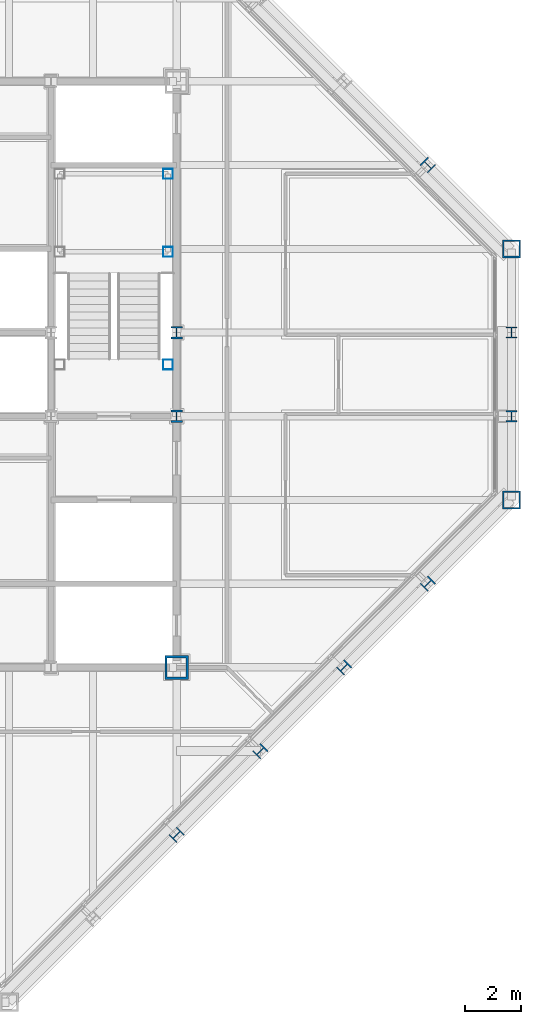
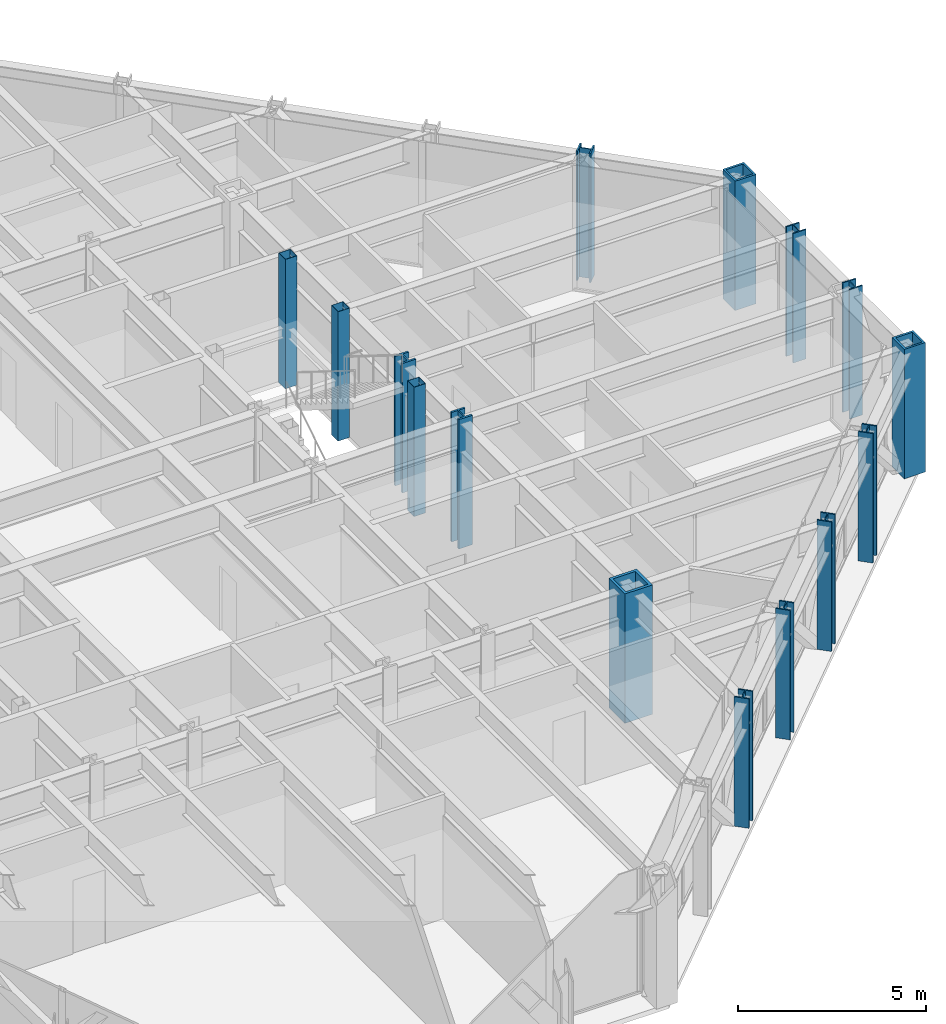
# One storey, part 3 of 15: 15 columns.
"""IFC4 building model written with IfcOpenShell, lengths in metres."""

from ifc_helpers import new_model, si_unit, direction, frame, origin, origin_2d, place, context, subcontext, project, spatial, hollow_rectangle, i_section, extrude, material, material_profile, profile_set, type_object, element, save


model = new_model("IFC4")

# Units and contexts
model_context = context("Model", 3, precision=1e-05, world=origin(), true_north=direction((0.0, 1.0)))
body_context = subcontext(model_context, "Body", "Model", "MODEL_VIEW")
ifc_project = project(units=[si_unit("LENGTHUNIT", "METRE"), si_unit("AREAUNIT", "SQUARE_METRE"), si_unit("VOLUMEUNIT", "CUBIC_METRE"), si_unit("PLANEANGLEUNIT", "RADIAN"), si_unit("MASSUNIT", "GRAM", prefix="KILO")], contexts=[model_context])

# Site, building, storey
site_placement = place(None, origin())
site = spatial("IfcSite", under=ifc_project, at=site_placement, CompositionType="ELEMENT")
building_placement = place(site_placement, origin())
building = spatial("IfcBuilding", under=site, at=building_placement, Name="Chuquiago Exchange Tower", CompositionType="ELEMENT")
storey_placement = place(building_placement, frame((0.0, 0.0, 283.199951171875)))
storey = spatial("IfcBuildingStorey", under=building, at=storey_placement, Name="L63", CompositionType="ELEMENT", Elevation=283.199951171875)

# Columns
ifc_material_1 = material(Name="Steel ASTM A992", Category="steel")
ifc_material_profile_1 = material_profile(ifc_material_1, i_section(OverallWidth=0.4013671875, OverallDepth=0.398681640625, WebThickness=0.02490234375, FlangeThickness=0.03955078125, at=origin_2d()), Name="W14X211")
ifc_profile_set_1 = profile_set([ifc_material_profile_1], Name="Steel ASTM A992")
column_type_1 = type_object("IfcColumnType", Name="C9 W14X211", PredefinedType="COLUMN", material=ifc_profile_set_1)
for number, where, z_axis, x_axis, name in (
    (1, (45.0, 21.0, 0.0), (0.0, 0.0, 1.0), (1.0, 0.0, 0.0), "COL-L63-45_21"),
    (2, (45.0, 24.0, 0.0), (0.0, 0.0, 1.0), (1.0, 0.0, 0.0), "COL-L63-45_24"),
):
    element("IfcColumn", number, at=place(storey_placement, frame(where, z_axis=z_axis, x_axis=x_axis)), inside=storey, type_object=column_type_1, Name=name, PredefinedType="COLUMN", context=body_context, shape_type="SweptSolid", body=[
        extrude(i_section(OverallWidth=0.4013671875, OverallDepth=0.398681640625, WebThickness=0.02490234375, FlangeThickness=0.03955078125, at=origin_2d()), origin(), (0.0, 0.0, 1.0), 4.199951171875),
    ])
ifc_material_2 = material(Name="Steel ASTM A572 Grade 50", Category="steel")
ifc_material_profile_2 = material_profile(ifc_material_2, hollow_rectangle(XDim=0.85009765625, YDim=0.85009765625, WallThickness=0.0849609375, at=origin_2d()), Name="BOX850X850X85")
ifc_profile_set_2 = profile_set([ifc_material_profile_2], Name="Steel ASTM A572 Grade 50")
column_type_2 = type_object("IfcColumnType", Name="CC6 BOX850X850X85", PredefinedType="COLUMN", material=ifc_profile_set_2)
column_placement = place(storey_placement, frame((33.0, 12.0, 0.0), z_axis=(0.0, 0.0, 1.0), x_axis=(1.0, 0.0, 0.0)))
element("IfcColumn", 3, at=column_placement, inside=storey, type_object=column_type_2, Name="CCOL-L63-33_12", PredefinedType="COLUMN", context=body_context, shape_type="SweptSolid", body=[
    extrude(hollow_rectangle(XDim=0.85009765625, YDim=0.85009765625, WallThickness=0.0849609375, at=origin_2d()), origin(), (0.0, 0.0, 1.0), 4.199951171875),
])
ifc_material_3 = material(Name="Steel ASTM A992", Category="steel")
ifc_material_profile_3 = material_profile(ifc_material_3, i_section(OverallWidth=0.41650390625, OverallDepth=0.444580078125, WebThickness=0.0390625, FlangeThickness=0.062744140625, at=origin_2d()), Name="W14X342")
ifc_profile_set_3 = profile_set([ifc_material_profile_3], Name="Steel ASTM A992")
column_type_3 = type_object("IfcColumnType", Name="CC9 W14X342", PredefinedType="COLUMN", material=ifc_profile_set_3)
for number, where, z_axis, x_axis, name in (
    (4, (33.0, 21.0, 0.0), (0.0, 0.0, 1.0), (1.0, 0.0, 0.0), "CCOL-L63-33_21"),
    (5, (33.0, 24.0, 0.0), (0.0, 0.0, 1.0), (1.0, 0.0, 0.0), "CCOL-L63-33_24"),
):
    element("IfcColumn", number, at=place(storey_placement, frame(where, z_axis=z_axis, x_axis=x_axis)), inside=storey, type_object=column_type_3, Name=name, PredefinedType="COLUMN", context=body_context, shape_type="SweptSolid", body=[
        extrude(i_section(OverallWidth=0.41650390625, OverallDepth=0.444580078125, WebThickness=0.0390625, FlangeThickness=0.062744140625, at=origin_2d()), origin(), (0.0, 0.0, 1.0), 4.199951171875),
    ])
ifc_material_4 = material(Name="Steel ASTM A992", Category="steel")
ifc_material_profile_4 = material_profile(ifc_material_4, i_section(OverallWidth=0.40380859375, OverallDepth=0.406494140625, WebThickness=0.027099609375, FlangeThickness=0.043701171875, at=origin_2d()), Name="W14X233")
ifc_profile_set_4 = profile_set([ifc_material_profile_4], Name="Steel ASTM A992")
column_type_4 = type_object("IfcColumnType", Name="CK8 W14X233", PredefinedType="COLUMN", material=ifc_profile_set_4)
for number, where, z_axis, x_axis, name in (
    (6, (33.0, 6.0, 0.0), (0.0, 0.0, 1.0), (0.707106781187, -0.707106781187, 0.0), "COL-L63-33_6"),
    (7, (36.0, 9.0, 0.0), (0.0, 0.0, 1.0), (0.707106781187, -0.707106781187, 0.0), "COL-L63-36_9"),
    (8, (39.0, 12.0, 0.0), (0.0, 0.0, 1.0), (0.707106781187, -0.707106781187, 0.0), "COL-L63-39_12"),
    (9, (42.0, 15.0, 0.0), (0.0, 0.0, 1.0), (0.707106781187, -0.707106781187, 0.0), "COL-L63-42_15"),
    (10, (42.0, 30.0, 0.0), (0.0, 0.0, 1.0), (0.707106781187, 0.707106781187, 0.0), "COL-L63-42_30"),
):
    element("IfcColumn", number, at=place(storey_placement, frame(where, z_axis=z_axis, x_axis=x_axis)), inside=storey, type_object=column_type_4, Name=name, PredefinedType="COLUMN", context=body_context, shape_type="SweptSolid", body=[
        extrude(i_section(OverallWidth=0.40380859375, OverallDepth=0.406494140625, WebThickness=0.027099609375, FlangeThickness=0.043701171875, at=origin_2d()), origin(), (0.0, 0.0, 1.0), 4.199951171875),
    ])
ifc_material_5 = material(Name="Steel ASTM A572 Grade 50", Category="steel")
ifc_material_profile_5 = material_profile(ifc_material_5, hollow_rectangle(XDim=0.64990234375, YDim=0.64990234375, WallThickness=0.06494140625, at=origin_2d()), Name="BOX650X650X65")
ifc_profile_set_5 = profile_set([ifc_material_profile_5], Name="Steel ASTM A572 Grade 50")
column_type_5 = type_object("IfcColumnType", Name="CN2 BOX650X650X65", PredefinedType="COLUMN", material=ifc_profile_set_5)
for number, where, z_axis, x_axis, name in (
    (11, (45.0, 18.0, 0.0), (0.0, 0.0, 1.0), (1.0, 0.0, 0.0), "COL-L63-45_18"),
    (12, (45.0, 27.0, 0.0), (0.0, 0.0, 1.0), (1.0, 0.0, 0.0), "COL-L63-45_27"),
):
    element("IfcColumn", number, at=place(storey_placement, frame(where, z_axis=z_axis, x_axis=x_axis)), inside=storey, type_object=column_type_5, Name=name, PredefinedType="COLUMN", context=body_context, shape_type="SweptSolid", body=[
        extrude(hollow_rectangle(XDim=0.64990234375, YDim=0.64990234375, WallThickness=0.06494140625, at=origin_2d()), origin(), (0.0, 0.0, 1.0), 4.199951171875),
    ])
ifc_material_6 = material(Name="Steel ASTM A500 Grade C", Category="steel")
ifc_material_profile_6 = material_profile(ifc_material_6, hollow_rectangle(XDim=0.355712890625, YDim=0.355712890625, WallThickness=0.0087890625, at=origin_2d()), Name="HSS14X14X3/8")
ifc_profile_set_6 = profile_set([ifc_material_profile_6], Name="Steel ASTM A500 Grade C")
column_type_6 = type_object("IfcColumnType", Name="PT1 HSS14X14X3/8", PredefinedType="COLUMN", material=ifc_profile_set_6)
for number, where, z_axis, x_axis, name in (
    (13, (32.68994140625, 29.68994140625, 0.0), (0.0, 0.0, 1.0), (1.0, 0.0, 0.0), "Stair ST2 L63 landing post"),
    (14, (32.68994140625, 26.889892578125, 0.0), (0.0, 0.0, 1.0), (1.0, 0.0, 0.0), "Stair ST2 L63 landing post"),
    (15, (32.68994140625, 22.85009765625, 0.0), (0.0, 0.0, 1.0), (1.0, 0.0, 0.0), "Stair ST2 L63 landing post"),
):
    element("IfcColumn", number, at=place(storey_placement, frame(where, z_axis=z_axis, x_axis=x_axis)), inside=storey, type_object=column_type_6, Name=name, PredefinedType="COLUMN", context=body_context, shape_type="SweptSolid", body=[
        extrude(hollow_rectangle(XDim=0.355712890625, YDim=0.355712890625, WallThickness=0.0087890625, at=origin_2d()), origin(), (0.0, 0.0, 1.0), 4.199951171875),
    ])

save(model, "model.ifc")
